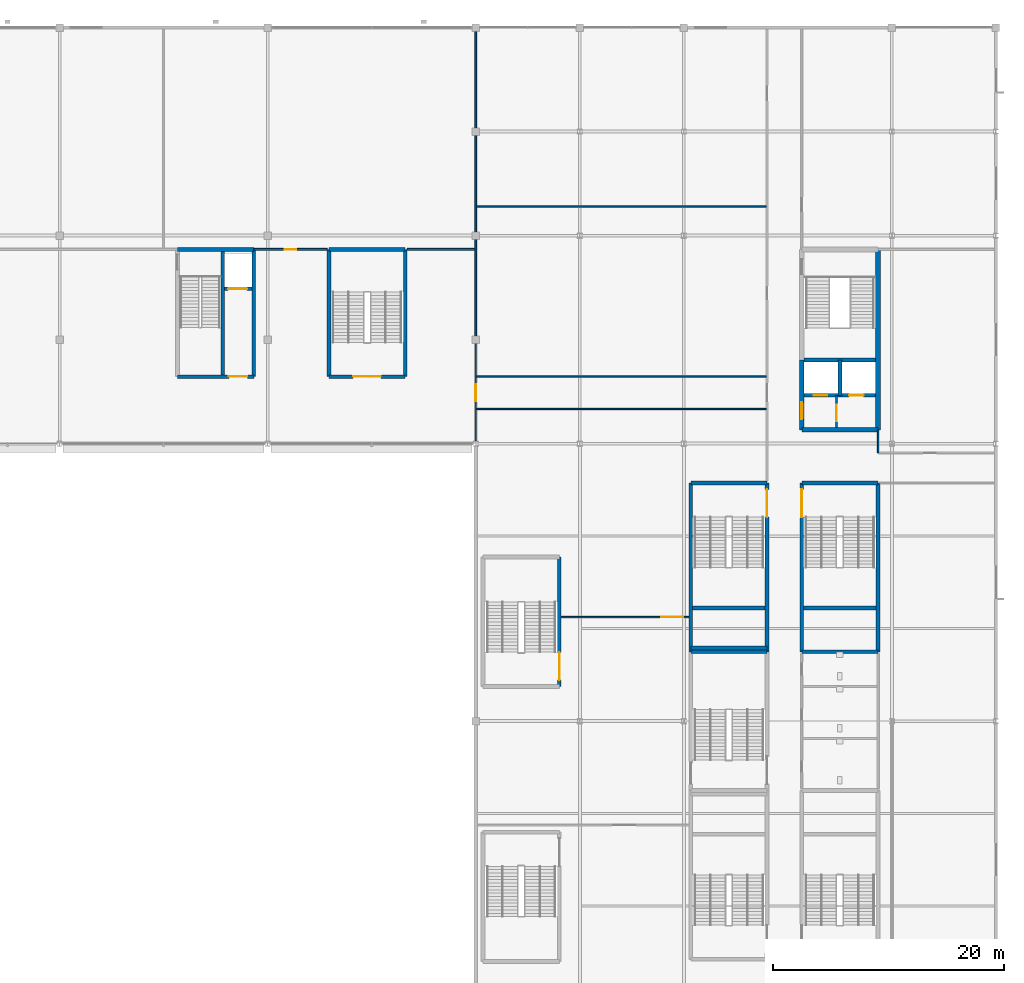
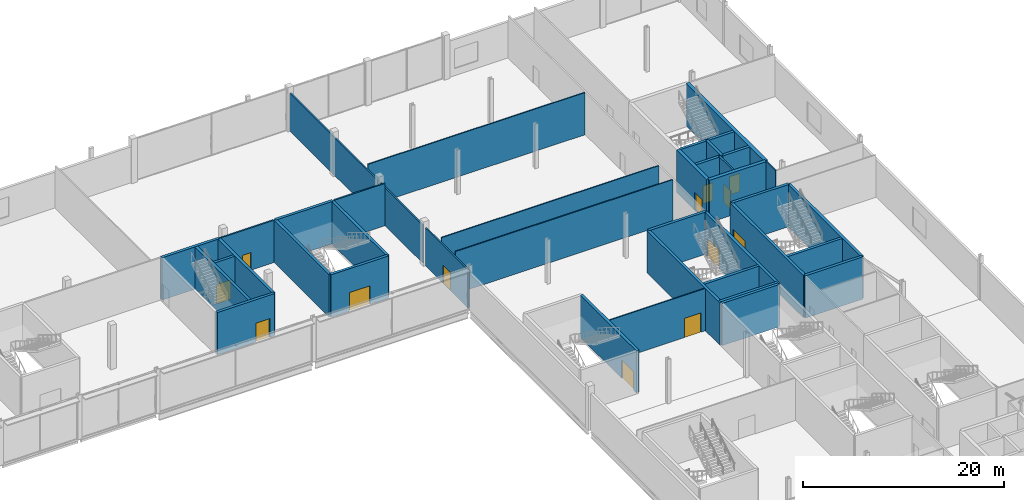
# One storey, part 67 of 111: 39 walls, 13 doors, 13 openings.
"""IFC4 building model written with IfcOpenShell, lengths in metres."""

from ifc_helpers import new_model, si_unit, direction, frame, frame_2d, origin, place, context, subcontext, project, spatial, rectangle, extrude, material, layer, layer_set, type_object, element, fill, save


model = new_model("IFC4")

# Units and contexts
model_context = context("Model", 3, precision=1e-05, world=origin(), true_north=direction((0.0, 1.0)))
body_context = subcontext(model_context, "Body", "Model", "MODEL_VIEW")
ifc_project = project(units=[si_unit("LENGTHUNIT", "METRE"), si_unit("AREAUNIT", "SQUARE_METRE"), si_unit("VOLUMEUNIT", "CUBIC_METRE"), si_unit("PLANEANGLEUNIT", "RADIAN"), si_unit("MASSUNIT", "GRAM", prefix="KILO")], contexts=[model_context])

# Site, building, storey
site_placement = place(None, origin())
site = spatial("IfcSite", under=ifc_project, at=site_placement, CompositionType="ELEMENT")
building_placement = place(site_placement, origin())
building = spatial("IfcBuilding", under=site, at=building_placement, Name="Kisiwana Market Hall", CompositionType="ELEMENT")
storey_placement = place(building_placement, frame((0.0, 0.0, 11.39990234375)))
storey = spatial("IfcBuildingStorey", under=building, at=storey_placement, Name="L02", CompositionType="ELEMENT", Elevation=11.39990234375)

# Wall, opening, door
ifc_material_1 = material(Name="Masonry blockwork", Category="masonry")
ifc_layer_1 = layer(ifc_material_1, 0.199951171875, Name="Plastered fire compartment block wall")
ifc_layer_set_1 = layer_set([ifc_layer_1], Name="WL-COMP-200")
wall_type_1 = type_object("IfcWallType", Name="WL-COMP-200", PredefinedType="PARTITIONING", material=ifc_layer_set_1)
wall_1_placement = place(storey_placement, frame((184.199951171875, 85.39990234375, 0.0), z_axis=(0.0, 0.0, 1.0), x_axis=(0.0, 1.0, 0.0)))
wall_1 = element("IfcWall", 1, at=wall_1_placement, inside=storey, type_object=wall_type_1, Name="Core E1 firefighting lobby wall W-1103", PredefinedType="PARTITIONING", context=body_context, shape_type="SweptSolid", body=[
    extrude(rectangle(XDim=2.780029296875, YDim=0.199951171875, at=frame_2d((1.39013671875, 0.0))), origin(), (0.0, 0.0, 1.0), 5.150146484375),
])
opening_1_placement = place(wall_1_placement, frame((0.550048828125, 0.0, 0.0)))
opening_1 = element("IfcOpeningElement", 2, at=opening_1_placement, cuts=wall_1, Name="Opening DR-L02-012", PredefinedType="OPENING", context=body_context, shape_type="SweptSolid", body=[
    extrude(rectangle(XDim=1.39990234375, YDim=2.25, at=frame_2d((0.699951171875, 1.125))), frame((0.0, 0.11181640625, 0.0), z_axis=(0.0, -1.0, 0.0), x_axis=(1.0, 0.0, 0.0)), (0.0, 0.0, 1.0), 0.223876953125),
])
ifc_material_2 = material(Name="Steel S275", Category="steel")
door_type_1 = type_object("IfcDoorType", Name="DR-FFLOB-FD120-1400", OperationType="DOUBLE_DOOR_SINGLE_SWING", PredefinedType="DOOR", material=ifc_material_2)
door_1_placement = place(opening_1_placement, origin())
door_1 = element("IfcDoor", 3, at=door_1_placement, inside=storey, type_object=door_type_1, Name="Firefighting Lift Lobby E1 Door (L02)", OperationType="DOUBLE_DOOR_SINGLE_SWING", OverallHeight=2.25, OverallWidth=1.39990234375, PredefinedType="DOOR", context=body_context, shape_type="SweptSolid", body=[
    extrude(rectangle(XDim=1.39990234375, YDim=2.25, at=frame_2d((0.699951171875, 1.125))), frame((0.0, 0.02490234375, 0.0), z_axis=(0.0, -1.0, 0.0), x_axis=(1.0, 0.0, 0.0)), (0.0, 0.0, 1.0), 0.050048828125),
])
fill(opening_1, door_1)

# Walls
ifc_material_3 = material(Name="Concrete C40/50", Category="concrete")
ifc_layer_2 = layer(ifc_material_3, 0.320068359375, Name="Reinforced concrete shaft wall")
ifc_layer_set_2 = layer_set([ifc_layer_2], Name="WL-CORE-320")
wall_type_2 = type_object("IfcWallType", Name="WL-CORE-320", PredefinedType="SHEAR", material=ifc_layer_set_2)
wall_2_placement = place(storey_placement, frame((181.39990234375, 91.239990234375, 0.0), z_axis=(0.0, 0.0, 1.0), x_axis=(1.0, 0.0, 0.0)))
element("IfcWall", 4, at=wall_2_placement, inside=storey, type_object=wall_type_2, Name="Core E1 shaft back shear wall W-0950", PredefinedType="SHEAR", context=body_context, shape_type="SweptSolid", body=[
    extrude(rectangle(XDim=6.2001953125, YDim=0.320068359375, at=frame_2d((3.10009765625, 0.0))), origin(), (0.0, 0.0, 1.0), 5.150146484375),
])
wall_3_placement = place(storey_placement, frame((184.5, 88.179931640625, 0.0), z_axis=(0.0, 0.0, 1.0), x_axis=(0.0, 1.0, 0.0)))
element("IfcWall", 5, at=wall_3_placement, inside=storey, type_object=wall_type_2, Name="Core E1 inter-shaft shear wall W-0951", PredefinedType="SHEAR", context=body_context, shape_type="SweptSolid", body=[
    extrude(rectangle(XDim=3.06005859375, YDim=0.320068359375, at=frame_2d((1.530029296875, 0.0))), origin(), (0.0, 0.0, 1.0), 5.150146484375),
])

# Wall, opening, door
wall_4_placement = place(storey_placement, frame((181.39990234375, 88.179931640625, 0.0), z_axis=(0.0, 0.0, 1.0), x_axis=(1.0, 0.0, 0.0)))
wall_4 = element("IfcWall", 6, at=wall_4_placement, inside=storey, type_object=wall_type_2, Name="Core E1 west lift front wall W-0952", PredefinedType="SHEAR", context=body_context, shape_type="SweptSolid", body=[
    extrude(rectangle(XDim=3.10009765625, YDim=0.320068359375, at=frame_2d((1.550048828125, 0.0))), origin(), (0.0, 0.0, 1.0), 5.150146484375),
])
opening_2_placement = place(wall_4_placement, frame((0.85009765625, 0.0, 0.0)))
opening_2 = element("IfcOpeningElement", 7, at=opening_2_placement, cuts=wall_4, Name="Opening LD-L02-007", PredefinedType="OPENING", context=body_context, shape_type="SweptSolid", body=[
    extrude(rectangle(XDim=1.14990234375, YDim=2.199951171875, at=frame_2d((0.574951171875, 1.10009765625))), frame((0.0, 0.171875, 0.0), z_axis=(0.0, -1.0, 0.0), x_axis=(1.0, 0.0, 0.0)), (0.0, 0.0, 1.0), 0.343994140625),
])
ifc_material_4 = material(Name="Steel S275", Category="steel")
door_type_2 = type_object("IfcDoorType", Name="DR-LIFT-PAX-1150", OperationType="DOUBLE_DOOR_SLIDING", PredefinedType="DOOR", material=ifc_material_4)
door_2_placement = place(opening_2_placement, origin())
door_2 = element("IfcDoor", 8, at=door_2_placement, inside=storey, type_object=door_type_2, Name="Lift Landing Door LP-04 (L02)", OperationType="DOUBLE_DOOR_SLIDING", OverallHeight=2.199951171875, OverallWidth=1.14990234375, PredefinedType="DOOR", context=body_context, shape_type="SweptSolid", body=[
    extrude(rectangle(XDim=1.14990234375, YDim=2.199951171875, at=frame_2d((0.574951171875, 1.10009765625))), frame((0.0, 0.02490234375, 0.0), z_axis=(0.0, -1.0, 0.0), x_axis=(1.0, 0.0, 0.0)), (0.0, 0.0, 1.0), 0.050048828125),
])
fill(opening_2, door_2)

wall_5_placement = place(storey_placement, frame((184.5, 88.179931640625, 0.0), z_axis=(0.0, 0.0, 1.0), x_axis=(1.0, 0.0, 0.0)))
wall_5 = element("IfcWall", 9, at=wall_5_placement, inside=storey, type_object=wall_type_2, Name="Core E1 east lift front wall W-0953", PredefinedType="SHEAR", context=body_context, shape_type="SweptSolid", body=[
    extrude(rectangle(XDim=3.10009765625, YDim=0.320068359375, at=frame_2d((1.550048828125, 0.0))), origin(), (0.0, 0.0, 1.0), 5.150146484375),
])
opening_3_placement = place(wall_5_placement, frame((0.800048828125, 0.0, 0.0)))
opening_3 = element("IfcOpeningElement", 10, at=opening_3_placement, cuts=wall_5, Name="Opening LD-L02-008", PredefinedType="OPENING", context=body_context, shape_type="SweptSolid", body=[
    extrude(rectangle(XDim=1.25, YDim=2.25, at=frame_2d((0.625, 1.125))), frame((0.0, 0.171875, 0.0), z_axis=(0.0, -1.0, 0.0), x_axis=(1.0, 0.0, 0.0)), (0.0, 0.0, 1.0), 0.343994140625),
])
ifc_material_5 = material(Name="Steel S275", Category="steel")
door_type_3 = type_object("IfcDoorType", Name="DR-LIFT-FFL-1250", OperationType="DOUBLE_DOOR_SLIDING", PredefinedType="DOOR", material=ifc_material_5)
door_3_placement = place(opening_3_placement, origin())
door_3 = element("IfcDoor", 11, at=door_3_placement, inside=storey, type_object=door_type_3, Name="Lift Landing Door FFL-04 (L02)", OperationType="DOUBLE_DOOR_SLIDING", OverallHeight=2.25, OverallWidth=1.25, PredefinedType="DOOR", context=body_context, shape_type="SweptSolid", body=[
    extrude(rectangle(XDim=1.25, YDim=2.25, at=frame_2d((0.625, 1.125))), frame((0.0, 0.02490234375, 0.0), z_axis=(0.0, -1.0, 0.0), x_axis=(1.0, 0.0, 0.0)), (0.0, 0.0, 1.0), 0.050048828125),
])
fill(opening_3, door_3)

wall_6_placement = place(storey_placement, frame((127.199951171875, 89.800048828125, 0.0), z_axis=(0.0, 0.0, 1.0), x_axis=(1.0, 0.0, 0.0)))
wall_6 = element("IfcWall", 12, at=wall_6_placement, inside=storey, type_object=wall_type_2, Name="Core N2 south wall W-0970", PredefinedType="SHEAR", context=body_context, shape_type="SweptSolid", body=[
    extrude(rectangle(XDim=6.60009765625, YDim=0.320068359375, at=frame_2d((3.300048828125, 0.0))), origin(), (0.0, 0.0, 1.0), 5.150146484375),
])
opening_4_placement = place(wall_6_placement, frame((4.449951171875, 0.0, 0.0)))
opening_4 = element("IfcOpeningElement", 13, at=opening_4_placement, cuts=wall_6, Name="Opening DR-L02-018", PredefinedType="OPENING", context=body_context, shape_type="SweptSolid", body=[
    extrude(rectangle(XDim=1.60009765625, YDim=2.300048828125, at=frame_2d((0.800048828125, 1.14990234375))), frame((0.0, 0.171875, 0.0), z_axis=(0.0, -1.0, 0.0), x_axis=(1.0, 0.0, 0.0)), (0.0, 0.0, 1.0), 0.343994140625),
])
ifc_material_6 = material(Name="Steel S275", Category="steel")
door_type_4 = type_object("IfcDoorType", Name="DR-PLANT-FD120-1600", OperationType="DOUBLE_DOOR_SINGLE_SWING", PredefinedType="DOOR", material=ifc_material_6)
door_4_placement = place(opening_4_placement, origin())
door_4 = element("IfcDoor", 14, at=door_4_placement, inside=storey, type_object=door_type_4, Name="Goods Lift Lobby N2 Door (L02)", OperationType="DOUBLE_DOOR_SINGLE_SWING", OverallHeight=2.300048828125, OverallWidth=1.60009765625, PredefinedType="DOOR", context=body_context, shape_type="SweptSolid", body=[
    extrude(rectangle(XDim=1.60009765625, YDim=2.300048828125, at=frame_2d((0.800048828125, 1.14990234375))), frame((0.0, 0.02490234375, 0.0), z_axis=(0.0, -1.0, 0.0), x_axis=(1.0, 0.0, 0.0)), (0.0, 0.0, 1.0), 0.050048828125),
])
fill(opening_4, door_4)

# Walls
wall_7_placement = place(storey_placement, frame((127.199951171875, 100.800048828125, 0.0), z_axis=(0.0, 0.0, 1.0), x_axis=(1.0, 0.0, 0.0)))
element("IfcWall", 15, at=wall_7_placement, inside=storey, type_object=wall_type_2, Name="Core N2 north wall W-0971", PredefinedType="SHEAR", context=body_context, shape_type="SweptSolid", body=[
    extrude(rectangle(XDim=6.60009765625, YDim=0.320068359375, at=frame_2d((3.300048828125, 0.0))), origin(), (0.0, 0.0, 1.0), 5.150146484375),
])
wall_8_placement = place(storey_placement, frame((133.800048828125, 89.800048828125, 0.0), z_axis=(0.0, 0.0, 1.0), x_axis=(0.0, 1.0, 0.0)))
element("IfcWall", 16, at=wall_8_placement, inside=storey, type_object=wall_type_2, Name="Core N2 east wall W-0973", PredefinedType="SHEAR", context=body_context, shape_type="SweptSolid", body=[
    extrude(rectangle(XDim=11.0, YDim=0.320068359375, at=frame_2d((5.5, 0.0))), origin(), (0.0, 0.0, 1.0), 5.150146484375),
])
wall_9_placement = place(storey_placement, frame((131.1201171875, 89.9599609375, 0.0), z_axis=(0.0, 0.0, 1.0), x_axis=(0.0, 1.0, 0.0)))
element("IfcWall", 17, at=wall_9_placement, inside=storey, type_object=wall_type_2, Name="Core N2 shaft divider W-0974", PredefinedType="SHEAR", context=body_context, shape_type="SweptSolid", body=[
    extrude(rectangle(XDim=10.679931640625, YDim=0.320068359375, at=frame_2d((5.33984375, 0.0))), origin(), (0.0, 0.0, 1.0), 5.150146484375),
])

# Wall, opening, door
wall_10_placement = place(storey_placement, frame((131.280029296875, 97.389892578125, 0.0), z_axis=(0.0, 0.0, 1.0), x_axis=(1.0, 0.0, 0.0)))
wall_10 = element("IfcWall", 18, at=wall_10_placement, inside=storey, type_object=wall_type_2, Name="Core N2 goods lift front wall W-0975", PredefinedType="SHEAR", context=body_context, shape_type="SweptSolid", body=[
    extrude(rectangle(XDim=2.35986328125, YDim=0.320068359375, at=frame_2d((1.179931640625, 0.0))), origin(), (0.0, 0.0, 1.0), 5.150146484375),
])
opening_5_placement = place(wall_10_placement, frame((0.300048828125, 0.0, 0.0)))
opening_5 = element("IfcOpeningElement", 19, at=opening_5_placement, cuts=wall_10, Name="Opening LD-L02-010", PredefinedType="OPENING", context=body_context, shape_type="SweptSolid", body=[
    extrude(rectangle(XDim=1.64990234375, YDim=2.35009765625, at=frame_2d((0.824951171875, 1.175048828125))), frame((0.0, 0.171875, 0.0), z_axis=(0.0, -1.0, 0.0), x_axis=(1.0, 0.0, 0.0)), (0.0, 0.0, 1.0), 0.343994140625),
])
ifc_material_7 = material(Name="Steel S275", Category="steel")
door_type_5 = type_object("IfcDoorType", Name="DR-LIFT-GDS-1650", OperationType="DOUBLE_DOOR_SLIDING", PredefinedType="DOOR", material=ifc_material_7)
door_5_placement = place(opening_5_placement, origin())
door_5 = element("IfcDoor", 20, at=door_5_placement, inside=storey, type_object=door_type_5, Name="Lift Landing Door LG-02 (L02)", OperationType="DOUBLE_DOOR_SLIDING", OverallHeight=2.35009765625, OverallWidth=1.64990234375, PredefinedType="DOOR", context=body_context, shape_type="SweptSolid", body=[
    extrude(rectangle(XDim=1.64990234375, YDim=2.35009765625, at=frame_2d((0.824951171875, 1.175048828125))), frame((0.0, 0.02490234375, 0.0), z_axis=(0.0, -1.0, 0.0), x_axis=(1.0, 0.0, 0.0)), (0.0, 0.0, 1.0), 0.050048828125),
])
fill(opening_5, door_5)

# Walls
for number, where, z_axis, x_axis, name in (
    (21, (181.199951171875, 66.0, 0.0), (0.0, 0.0, 1.0), (1.0, 0.0, 0.0), "Core E4 south shear wall W-0991"),
    (22, (181.199951171875, 80.60009765625, 0.0), (0.0, 0.0, 1.0), (1.0, 0.0, 0.0), "Core E4 north shear wall W-0992"),
):
    element("IfcWall", number, at=place(storey_placement, frame(where, z_axis=z_axis, x_axis=x_axis)), inside=storey, type_object=wall_type_2, Name=name, PredefinedType="SHEAR", context=body_context, shape_type="SweptSolid", body=[
        extrude(rectangle(XDim=6.60009765625, YDim=0.320068359375, at=frame_2d((3.300048828125, 0.0))), origin(), (0.0, 0.0, 1.0), 5.150146484375),
    ])

# Wall, opening, door
wall_11_placement = place(storey_placement, frame((181.199951171875, 66.0, 0.0), z_axis=(0.0, 0.0, 1.0), x_axis=(0.0, 1.0, 0.0)))
wall_11 = element("IfcWall", 23, at=wall_11_placement, inside=storey, type_object=wall_type_2, Name="Core E4 corridor shear wall W-0993", PredefinedType="SHEAR", context=body_context, shape_type="SweptSolid", body=[
    extrude(rectangle(XDim=14.60009765625, YDim=0.320068359375, at=frame_2d((7.300048828125, 0.0))), origin(), (0.0, 0.0, 1.0), 5.150146484375),
])
opening_6_placement = place(wall_11_placement, frame((11.64990234375, 0.0, 0.0)))
opening_6 = element("IfcOpeningElement", 24, at=opening_6_placement, cuts=wall_11, Name="Opening DR-L02-022", PredefinedType="OPENING", context=body_context, shape_type="SweptSolid", body=[
    extrude(rectangle(XDim=2.39990234375, YDim=2.25, at=frame_2d((1.199951171875, 1.125))), frame((0.0, 0.171875, 0.0), z_axis=(0.0, -1.0, 0.0), x_axis=(1.0, 0.0, 0.0)), (0.0, 0.0, 1.0), 0.343994140625),
])
ifc_material_8 = material(Name="Steel S275", Category="steel")
door_type_6 = type_object("IfcDoorType", Name="DR-STAIR-FD120-2400", OperationType="DOUBLE_DOOR_SINGLE_SWING", PredefinedType="DOOR", material=ifc_material_8)
door_6_placement = place(opening_6_placement, frame((2.39990234375, 0.0, 0.0), z_axis=(0.0, 0.0, 1.0), x_axis=(-1.0, 0.0, 0.0)))
door_6 = element("IfcDoor", 25, at=door_6_placement, inside=storey, type_object=door_type_6, Name="Escape Stair E4 Fire Door (L02)", OperationType="DOUBLE_DOOR_SINGLE_SWING", OverallHeight=2.25, OverallWidth=2.39990234375, PredefinedType="DOOR", context=body_context, shape_type="SweptSolid", body=[
    extrude(rectangle(XDim=2.39990234375, YDim=2.25, at=frame_2d((1.199951171875, 1.125))), frame((0.0, 0.02490234375, 0.0), z_axis=(0.0, -1.0, 0.0), x_axis=(1.0, 0.0, 0.0)), (0.0, 0.0, 1.0), 0.050048828125),
])
fill(opening_6, door_6)

# Walls
wall_12_placement = place(storey_placement, frame((187.800048828125, 66.0, 0.0), z_axis=(0.0, 0.0, 1.0), x_axis=(0.0, 1.0, 0.0)))
element("IfcWall", 26, at=wall_12_placement, inside=storey, type_object=wall_type_2, Name="Core E4 outer shear wall W-0994", PredefinedType="SHEAR", context=body_context, shape_type="SweptSolid", body=[
    extrude(rectangle(XDim=14.60009765625, YDim=0.320068359375, at=frame_2d((7.300048828125, 0.0))), origin(), (0.0, 0.0, 1.0), 5.150146484375),
])
wall_13_placement = place(storey_placement, frame((181.360107421875, 69.780029296875, 0.0), z_axis=(0.0, 0.0, 1.0), x_axis=(1.0, 0.0, 0.0)))
element("IfcWall", 27, at=wall_13_placement, inside=storey, type_object=wall_type_2, Name="Core E4 riser divider shear wall W-0995", PredefinedType="SHEAR", context=body_context, shape_type="SweptSolid", body=[
    extrude(rectangle(XDim=6.27978515625, YDim=0.320068359375, at=frame_2d((3.139892578125, 0.0))), origin(), (0.0, 0.0, 1.0), 5.150146484375),
])
for number, where, z_axis, x_axis, name in (
    (28, (171.60009765625, 66.0, 0.0), (0.0, 0.0, 1.0), (1.0, 0.0, 0.0), "Core E8 south shear wall W-1011"),
    (29, (171.60009765625, 80.60009765625, 0.0), (0.0, 0.0, 1.0), (1.0, 0.0, 0.0), "Core E8 north shear wall W-1012"),
):
    element("IfcWall", number, at=place(storey_placement, frame(where, z_axis=z_axis, x_axis=x_axis)), inside=storey, type_object=wall_type_2, Name=name, PredefinedType="SHEAR", context=body_context, shape_type="SweptSolid", body=[
        extrude(rectangle(XDim=6.599853515625, YDim=0.320068359375, at=frame_2d((3.2998046875, 0.0))), origin(), (0.0, 0.0, 1.0), 5.150146484375),
    ])
wall_14_placement = place(storey_placement, frame((171.60009765625, 66.0, 0.0), z_axis=(0.0, 0.0, 1.0), x_axis=(0.0, 1.0, 0.0)))
element("IfcWall", 30, at=wall_14_placement, inside=storey, type_object=wall_type_2, Name="Core E8 outer shear wall W-1013", PredefinedType="SHEAR", context=body_context, shape_type="SweptSolid", body=[
    extrude(rectangle(XDim=14.60009765625, YDim=0.320068359375, at=frame_2d((7.300048828125, 0.0))), origin(), (0.0, 0.0, 1.0), 5.150146484375),
])

# Wall, opening, door
wall_15_placement = place(storey_placement, frame((178.199951171875, 66.0, 0.0), z_axis=(0.0, 0.0, 1.0), x_axis=(0.0, 1.0, 0.0)))
wall_15 = element("IfcWall", 31, at=wall_15_placement, inside=storey, type_object=wall_type_2, Name="Core E8 corridor shear wall W-1014", PredefinedType="SHEAR", context=body_context, shape_type="SweptSolid", body=[
    extrude(rectangle(XDim=14.60009765625, YDim=0.320068359375, at=frame_2d((7.300048828125, 0.0))), origin(), (0.0, 0.0, 1.0), 5.150146484375),
])
opening_7_placement = place(wall_15_placement, frame((11.64990234375, 0.0, 0.0)))
opening_7 = element("IfcOpeningElement", 32, at=opening_7_placement, cuts=wall_15, Name="Opening DR-L02-026", PredefinedType="OPENING", context=body_context, shape_type="SweptSolid", body=[
    extrude(rectangle(XDim=2.39990234375, YDim=2.25, at=frame_2d((1.199951171875, 1.125))), frame((0.0, 0.171875, 0.0), z_axis=(0.0, -1.0, 0.0), x_axis=(1.0, 0.0, 0.0)), (0.0, 0.0, 1.0), 0.343994140625),
])
door_7_placement = place(opening_7_placement, origin())
door_7 = element("IfcDoor", 33, at=door_7_placement, inside=storey, type_object=door_type_6, Name="Escape Stair E8 Fire Door (L02)", OperationType="DOUBLE_DOOR_SINGLE_SWING", OverallHeight=2.25, OverallWidth=2.39990234375, PredefinedType="DOOR", context=body_context, shape_type="SweptSolid", body=[
    extrude(rectangle(XDim=2.39990234375, YDim=2.25, at=frame_2d((1.199951171875, 1.125))), frame((0.0, 0.02490234375, 0.0), z_axis=(0.0, -1.0, 0.0), x_axis=(1.0, 0.0, 0.0)), (0.0, 0.0, 1.0), 0.050048828125),
])
fill(opening_7, door_7)

# Wall
wall_16_placement = place(storey_placement, frame((171.760009765625, 69.780029296875, 0.0), z_axis=(0.0, 0.0, 1.0), x_axis=(1.0, 0.0, 0.0)))
element("IfcWall", 34, at=wall_16_placement, inside=storey, type_object=wall_type_2, Name="Core E8 riser divider shear wall W-1015", PredefinedType="SHEAR", context=body_context, shape_type="SweptSolid", body=[
    extrude(rectangle(XDim=6.280029296875, YDim=0.320068359375, at=frame_2d((3.14013671875, 0.0))), origin(), (0.0, 0.0, 1.0), 5.150146484375),
])

# Wall, opening, door
wall_17_placement = place(storey_placement, frame((160.22998046875, 63.0, 0.0), z_axis=(0.0, 0.0, 1.0), x_axis=(0.0, 1.0, 0.0)))
wall_17 = element("IfcWall", 35, at=wall_17_placement, inside=storey, type_object=wall_type_2, Name="Core E10 corridor shear wall W-1031", PredefinedType="SHEAR", context=body_context, shape_type="SweptSolid", body=[
    extrude(rectangle(XDim=11.199951171875, YDim=0.320068359375, at=frame_2d((5.60009765625, 0.0))), origin(), (0.0, 0.0, 1.0), 5.150146484375),
])
opening_8_placement = place(wall_17_placement, frame((0.550048828125, 0.0, 0.0)))
opening_8 = element("IfcOpeningElement", 36, at=opening_8_placement, cuts=wall_17, Name="Opening DR-L02-030", PredefinedType="OPENING", context=body_context, shape_type="SweptSolid", body=[
    extrude(rectangle(XDim=2.39990234375, YDim=2.25, at=frame_2d((1.199951171875, 1.125))), frame((0.0, 0.171875, 0.0), z_axis=(0.0, -1.0, 0.0), x_axis=(1.0, 0.0, 0.0)), (0.0, 0.0, 1.0), 0.343994140625),
])
door_8_placement = place(opening_8_placement, origin())
door_8 = element("IfcDoor", 37, at=door_8_placement, inside=storey, type_object=door_type_6, Name="Escape Stair E10 Fire Door (L02)", OperationType="DOUBLE_DOOR_SINGLE_SWING", OverallHeight=2.25, OverallWidth=2.39990234375, PredefinedType="DOOR", context=body_context, shape_type="SweptSolid", body=[
    extrude(rectangle(XDim=2.39990234375, YDim=2.25, at=frame_2d((1.199951171875, 1.125))), frame((0.0, 0.02490234375, 0.0), z_axis=(0.0, -1.0, 0.0), x_axis=(1.0, 0.0, 0.0)), (0.0, 0.0, 1.0), 0.050048828125),
])
fill(opening_8, door_8)

# Wall
wall_18_placement = place(storey_placement, frame((171.60009765625, 66.320068359375, 0.0), z_axis=(0.0, 0.0, 1.0), x_axis=(1.0, 0.0, 0.0)))
element("IfcWall", 38, at=wall_18_placement, inside=storey, type_object=wall_type_2, Name="Core E5 north shear wall W-1037", PredefinedType="SHEAR", context=body_context, shape_type="SweptSolid", body=[
    extrude(rectangle(XDim=6.599853515625, YDim=0.320068359375, at=frame_2d((3.2998046875, 0.0))), origin(), (0.0, 0.0, 1.0), 5.150146484375),
])

# Wall, opening, door
wall_19_placement = place(storey_placement, frame((140.300048828125, 89.800048828125, 0.0), z_axis=(0.0, 0.0, 1.0), x_axis=(1.0, 0.0, 0.0)))
wall_19 = element("IfcWall", 39, at=wall_19_placement, inside=storey, type_object=wall_type_2, Name="Core N6 corridor shear wall W-1068", PredefinedType="SHEAR", context=body_context, shape_type="SweptSolid", body=[
    extrude(rectangle(XDim=6.599853515625, YDim=0.320068359375, at=frame_2d((3.2998046875, 0.0))), origin(), (0.0, 0.0, 1.0), 5.150146484375),
])
opening_9_placement = place(wall_19_placement, frame((2.10009765625, 0.0, 0.0)))
opening_9 = element("IfcOpeningElement", 40, at=opening_9_placement, cuts=wall_19, Name="Opening DR-L02-042", PredefinedType="OPENING", context=body_context, shape_type="SweptSolid", body=[
    extrude(rectangle(XDim=2.39990234375, YDim=2.25, at=frame_2d((1.199951171875, 1.125))), frame((0.0, 0.171875, 0.0), z_axis=(0.0, -1.0, 0.0), x_axis=(1.0, 0.0, 0.0)), (0.0, 0.0, 1.0), 0.343994140625),
])
door_9_placement = place(opening_9_placement, origin())
door_9 = element("IfcDoor", 41, at=door_9_placement, inside=storey, type_object=door_type_6, Name="Escape Stair N6 Fire Door (L02)", OperationType="DOUBLE_DOOR_SINGLE_SWING", OverallHeight=2.25, OverallWidth=2.39990234375, PredefinedType="DOOR", context=body_context, shape_type="SweptSolid", body=[
    extrude(rectangle(XDim=2.39990234375, YDim=2.25, at=frame_2d((1.199951171875, 1.125))), frame((0.0, 0.02490234375, 0.0), z_axis=(0.0, -1.0, 0.0), x_axis=(1.0, 0.0, 0.0)), (0.0, 0.0, 1.0), 0.050048828125),
])
fill(opening_9, door_9)

# Walls
wall_20_placement = place(storey_placement, frame((140.300048828125, 100.800048828125, 0.0), z_axis=(0.0, 0.0, 1.0), x_axis=(1.0, 0.0, 0.0)))
element("IfcWall", 42, at=wall_20_placement, inside=storey, type_object=wall_type_2, Name="Core N6 outer shear wall W-1069", PredefinedType="SHEAR", context=body_context, shape_type="SweptSolid", body=[
    extrude(rectangle(XDim=6.599853515625, YDim=0.320068359375, at=frame_2d((3.2998046875, 0.0))), origin(), (0.0, 0.0, 1.0), 5.150146484375),
])
for number, where, z_axis, x_axis, name in (
    (43, (140.300048828125, 89.800048828125, 0.0), (0.0, 0.0, 1.0), (0.0, 1.0, 0.0), "Core N6 west shear wall W-1070"),
    (44, (146.89990234375, 89.800048828125, 0.0), (0.0, 0.0, 1.0), (0.0, 1.0, 0.0), "Core N6 east shear wall W-1071"),
):
    element("IfcWall", number, at=place(storey_placement, frame(where, z_axis=z_axis, x_axis=x_axis)), inside=storey, type_object=wall_type_2, Name=name, PredefinedType="SHEAR", context=body_context, shape_type="SweptSolid", body=[
        extrude(rectangle(XDim=11.0, YDim=0.320068359375, at=frame_2d((5.5, 0.0))), origin(), (0.0, 0.0, 1.0), 5.150146484375),
    ])
ifc_material_9 = material(Name="Concrete C40/50", Category="concrete")
ifc_layer_3 = layer(ifc_material_9, 0.39990234375, Name="Reinforced concrete core wall")
ifc_layer_set_3 = layer_set([ifc_layer_3], Name="WL-CORE-400")
wall_type_3 = type_object("IfcWallType", Name="WL-CORE-400", PredefinedType="SHEAR", material=ifc_layer_set_3)
wall_21_placement = place(storey_placement, frame((181.199951171875, 85.199951171875, 0.0), z_axis=(0.0, 0.0, 1.0), x_axis=(1.0, 0.0, 0.0)))
element("IfcWall", 45, at=wall_21_placement, inside=storey, type_object=wall_type_3, Name="Core E1 south shear wall W-0945", PredefinedType="SHEAR", context=body_context, shape_type="SweptSolid", body=[
    extrude(rectangle(XDim=6.60009765625, YDim=0.39990234375, at=frame_2d((3.300048828125, 0.0))), origin(), (0.0, 0.0, 1.0), 5.150146484375),
])
wall_22_placement = place(storey_placement, frame((187.800048828125, 85.199951171875, 0.0), z_axis=(0.0, 0.0, 1.0), x_axis=(0.0, 1.0, 0.0)))
element("IfcWall", 46, at=wall_22_placement, inside=storey, type_object=wall_type_3, Name="Core E1 outer shear wall W-0947", PredefinedType="SHEAR", context=body_context, shape_type="SweptSolid", body=[
    extrude(rectangle(XDim=15.60009765625, YDim=0.39990234375, at=frame_2d((7.800048828125, 0.0))), origin(), (0.0, 0.0, 1.0), 5.150146484375),
])

# Wall, opening, door
wall_23_placement = place(storey_placement, frame((181.199951171875, 85.199951171875, 0.0), z_axis=(0.0, 0.0, 1.0), x_axis=(0.0, 1.0, 0.0)))
wall_23 = element("IfcWall", 47, at=wall_23_placement, inside=storey, type_object=wall_type_3, Name="Core E1 lobby corridor shear wall W-0948", PredefinedType="SHEAR", context=body_context, shape_type="SweptSolid", body=[
    extrude(rectangle(XDim=6.0400390625, YDim=0.39990234375, at=frame_2d((3.02001953125, 0.0))), origin(), (0.0, 0.0, 1.0), 5.150146484375),
])
opening_10_placement = place(wall_23_placement, frame((0.89990234375, 0.0, 0.0)))
opening_10 = element("IfcOpeningElement", 48, at=opening_10_placement, cuts=wall_23, Name="Opening DR-L02-010", PredefinedType="OPENING", context=body_context, shape_type="SweptSolid", body=[
    extrude(rectangle(XDim=1.5, YDim=2.199951171875, at=frame_2d((0.75, 1.10009765625))), frame((0.0, 0.2119140625, 0.0), z_axis=(0.0, -1.0, 0.0), x_axis=(1.0, 0.0, 0.0)), (0.0, 0.0, 1.0), 0.423828125),
])
ifc_material_10 = material(Name="Steel S275", Category="steel")
door_type_7 = type_object("IfcDoorType", Name="DR-CORR-FD60-1500", OperationType="DOUBLE_DOOR_SINGLE_SWING", PredefinedType="DOOR", material=ifc_material_10)
door_10_placement = place(opening_10_placement, origin())
door_10 = element("IfcDoor", 49, at=door_10_placement, inside=storey, type_object=door_type_7, Name="Passenger Lift Lobby E1 Smoke Door (L02)", OperationType="DOUBLE_DOOR_SINGLE_SWING", OverallHeight=2.199951171875, OverallWidth=1.5, PredefinedType="DOOR", context=body_context, shape_type="SweptSolid", body=[
    extrude(rectangle(XDim=1.5, YDim=2.199951171875, at=frame_2d((0.75, 1.10009765625))), frame((0.0, 0.02490234375, 0.0), z_axis=(0.0, -1.0, 0.0), x_axis=(1.0, 0.0, 0.0)), (0.0, 0.0, 1.0), 0.050048828125),
])
fill(opening_10, door_10)

ifc_material_11 = material(Name="Masonry blockwork", Category="masonry")
ifc_layer_4 = layer(ifc_material_11, 0.169921875, Name="Protected corridor partition")
ifc_layer_set_4 = layer_set([ifc_layer_4], Name="WL-CORR-170")
wall_type_4 = type_object("IfcWallType", Name="WL-CORR-170", PredefinedType="PARTITIONING", material=ifc_layer_set_4)
wall_24_placement = place(storey_placement, frame((153.0, 84.219970703125, 0.0), z_axis=(0.0, 0.0, 1.0), x_axis=(0.0, 1.0, 0.0)))
wall_24 = element("IfcWall", 50, at=wall_24_placement, inside=storey, type_object=wall_type_4, Name="Interior partition W-1161", PredefinedType="PARTITIONING", context=body_context, shape_type="SweptSolid", body=[
    extrude(rectangle(XDim=8.56005859375, YDim=0.169921875, at=frame_2d((4.280029296875, 0.0))), origin(), (0.0, 0.0, 1.0), 4.616943359375),
])
opening_11_placement = place(wall_24_placement, frame((3.429931640625, 0.0, 0.0)))
opening_11 = element("IfcOpeningElement", 51, at=opening_11_placement, cuts=wall_24, Name="Opening DR-L02-086", PredefinedType="OPENING", context=body_context, shape_type="SweptSolid", body=[
    extrude(rectangle(XDim=1.5, YDim=2.199951171875, at=frame_2d((0.75, 1.10009765625))), frame((0.0, 0.096923828125, 0.0), z_axis=(0.0, -1.0, 0.0), x_axis=(1.0, 0.0, 0.0)), (0.0, 0.0, 1.0), 0.19384765625),
])
door_11_placement = place(opening_11_placement, origin())
door_11 = element("IfcDoor", 52, at=door_11_placement, inside=storey, type_object=door_type_7, Name="L02 E North Spine Link Door", OperationType="DOUBLE_DOOR_SINGLE_SWING", OverallHeight=2.199951171875, OverallWidth=1.5, PredefinedType="DOOR", context=body_context, shape_type="SweptSolid", body=[
    extrude(rectangle(XDim=1.5, YDim=2.199951171875, at=frame_2d((0.75, 1.10009765625))), frame((0.0, 0.02490234375, 0.0), z_axis=(0.0, -1.0, 0.0), x_axis=(1.0, 0.0, 0.0)), (0.0, 0.0, 1.0), 0.050048828125),
])
fill(opening_11, door_11)

# Walls
wall_25_placement = place(storey_placement, frame((153.0, 93.219970703125, 0.0), z_axis=(0.0, 0.0, 1.0), x_axis=(0.0, 1.0, 0.0)))
element("IfcWall", 53, at=wall_25_placement, inside=storey, type_object=wall_type_4, Name="Interior partition W-1162", PredefinedType="PARTITIONING", context=body_context, shape_type="SweptSolid", body=[
    extrude(rectangle(XDim=8.56005859375, YDim=0.169921875, at=frame_2d((4.280029296875, 0.0))), origin(), (0.0, 0.0, 1.0), 4.616943359375),
])
wall_26_placement = place(storey_placement, frame((153.0, 102.219970703125, 0.0), z_axis=(0.0, 0.0, 1.0), x_axis=(0.0, 1.0, 0.0)))
element("IfcWall", 54, at=wall_26_placement, inside=storey, type_object=wall_type_4, Name="Interior partition W-1163", PredefinedType="PARTITIONING", context=body_context, shape_type="SweptSolid", body=[
    extrude(rectangle(XDim=17.56005859375, YDim=0.169921875, at=frame_2d((8.780029296875, 0.0))), origin(), (0.0, 0.0, 1.0), 4.60888671875),
])

# Wall, opening, door
wall_27_placement = place(storey_placement, frame((133.800048828125, 100.800048828125, 0.0), z_axis=(0.0, 0.0, 1.0), x_axis=(1.0, 0.0, 0.0)))
wall_27 = element("IfcWall", 55, at=wall_27_placement, inside=storey, type_object=wall_type_4, Name="Interior partition W-1182", PredefinedType="PARTITIONING", context=body_context, shape_type="SweptSolid", body=[
    extrude(rectangle(XDim=6.33984375, YDim=0.169921875, at=frame_2d((3.169921875, 0.0))), origin(), (0.0, 0.0, 1.0), 5.150146484375),
])
opening_12_placement = place(wall_27_placement, frame((2.669921875, 0.0, 0.0)))
opening_12 = element("IfcOpeningElement", 56, at=opening_12_placement, cuts=wall_27, Name="Opening DR-L02-096", PredefinedType="OPENING", context=body_context, shape_type="SweptSolid", body=[
    extrude(rectangle(XDim=1.0, YDim=2.14990234375, at=frame_2d((0.5, 1.074951171875))), frame((0.0, 0.096923828125, 0.0), z_axis=(0.0, -1.0, 0.0), x_axis=(1.0, 0.0, 0.0)), (0.0, 0.0, 1.0), 0.19384765625),
])
ifc_material_12 = material(Name="Aluminium alloy 6063-T6", Category="aluminium")
door_type_8 = type_object("IfcDoorType", Name="DR-OFF-1000", OperationType="NOTDEFINED", PredefinedType="DOOR", material=ifc_material_12)
door_12_placement = place(opening_12_placement, origin())
door_12 = element("IfcDoor", 57, at=door_12_placement, inside=storey, type_object=door_type_8, Name="L02 Studio N4 Door", OperationType="SINGLE_SWING_LEFT", OverallHeight=2.14990234375, OverallWidth=1.0, PredefinedType="DOOR", context=body_context, shape_type="SweptSolid", body=[
    extrude(rectangle(XDim=1.0, YDim=2.14990234375, at=frame_2d((0.5, 1.074951171875))), frame((0.0, 0.02490234375, 0.0), z_axis=(0.0, -1.0, 0.0), x_axis=(1.0, 0.0, 0.0)), (0.0, 0.0, 1.0), 0.050048828125),
])
fill(opening_12, door_12)

# Walls
wall_28_placement = place(storey_placement, frame((147.06005859375, 100.800048828125, 0.0), z_axis=(0.0, 0.0, 1.0), x_axis=(1.0, 0.0, 0.0)))
element("IfcWall", 58, at=wall_28_placement, inside=storey, type_object=wall_type_4, Name="Interior partition W-1183", PredefinedType="PARTITIONING", context=body_context, shape_type="SweptSolid", body=[
    extrude(rectangle(XDim=5.85498046875, YDim=0.169921875, at=frame_2d((2.927490234375, 0.0))), origin(), (0.0, 0.0, 1.0), 5.150146484375),
])
ifc_material_13 = material(Name="Gypsum plasterboard")
ifc_layer_5 = layer(ifc_material_13, 0.125, Name="Double gypsum board + acoustic stud")
ifc_layer_set_5 = layer_set([ifc_layer_5], Name="WL-OFF-125")
wall_type_5 = type_object("IfcWallType", Name="WL-OFF-125", PredefinedType="PARTITIONING", material=ifc_layer_set_5)
wall_29_placement = place(storey_placement, frame((187.800048828125, 83.199951171875, 0.0), z_axis=(0.0, 0.0, 1.0), x_axis=(0.0, 1.0, 0.0)))
element("IfcWall", 59, at=wall_29_placement, inside=storey, type_object=wall_type_5, Name="Interior partition W-1139", PredefinedType="PARTITIONING", context=body_context, shape_type="SweptSolid", body=[
    extrude(rectangle(XDim=2.0, YDim=0.125, at=frame_2d((1.0, 0.0))), origin(), (0.0, 0.0, 1.0), 5.150146484375),
])

# Wall, opening, door
wall_30_placement = place(storey_placement, frame((160.389892578125, 69.0, 0.0), z_axis=(0.0, 0.0, 1.0), x_axis=(1.0, 0.0, 0.0)))
wall_30 = element("IfcWall", 60, at=wall_30_placement, inside=storey, type_object=wall_type_5, Name="Interior partition W-1152", PredefinedType="PARTITIONING", context=body_context, shape_type="SweptSolid", body=[
    extrude(rectangle(XDim=11.050048828125, YDim=0.125, at=frame_2d((5.52490234375, 0.0))), origin(), (0.0, 0.0, 1.0), 5.150146484375),
])
opening_13_placement = place(wall_30_placement, frame((8.64990234375, 0.0, 0.0)))
opening_13 = element("IfcOpeningElement", 61, at=opening_13_placement, cuts=wall_30, Name="Opening DR-L02-074", PredefinedType="OPENING", context=body_context, shape_type="SweptSolid", body=[
    extrude(rectangle(XDim=1.89990234375, YDim=2.35009765625, at=frame_2d((0.949951171875, 1.175048828125))), frame((0.0, 0.074462890625, 0.0), z_axis=(0.0, -1.0, 0.0), x_axis=(1.0, 0.0, 0.0)), (0.0, 0.0, 1.0), 0.14892578125),
])
ifc_material_14 = material(Name="Steel S275", Category="steel")
door_type_9 = type_object("IfcDoorType", Name="DR-HALL-1900", OperationType="DOUBLE_DOOR_SINGLE_SWING", PredefinedType="DOOR", material=ifc_material_14)
door_13_placement = place(opening_13_placement, origin())
door_13 = element("IfcDoor", 62, at=door_13_placement, inside=storey, type_object=door_type_9, Name="L02 E Cooperative Boardroom Exit Door", OperationType="DOUBLE_DOOR_SINGLE_SWING", OverallHeight=2.35009765625, OverallWidth=1.89990234375, PredefinedType="DOOR", context=body_context, shape_type="SweptSolid", body=[
    extrude(rectangle(XDim=1.89990234375, YDim=2.35009765625, at=frame_2d((0.949951171875, 1.175048828125))), frame((0.0, 0.02490234375, 0.0), z_axis=(0.0, -1.0, 0.0), x_axis=(1.0, 0.0, 0.0)), (0.0, 0.0, 1.0), 0.050048828125),
])
fill(opening_13, door_13)

# Walls
for number, where, z_axis, x_axis, name in (
    (63, (153.0849609375, 87.0, 0.0), (0.0, 0.0, 1.0), (1.0, 0.0, 0.0), "Interior partition W-1153"),
    (64, (153.0849609375, 89.800048828125, 0.0), (0.0, 0.0, 1.0), (1.0, 0.0, 0.0), "Interior partition W-1154"),
    (65, (153.0849609375, 104.5, 0.0), (0.0, 0.0, 1.0), (1.0, 0.0, 0.0), "Interior partition W-1155"),
):
    element("IfcWall", number, at=place(storey_placement, frame(where, z_axis=z_axis, x_axis=x_axis)), inside=storey, type_object=wall_type_5, Name=name, PredefinedType="PARTITIONING", context=body_context, shape_type="SweptSolid", body=[
        extrude(rectangle(XDim=25.030029296875, YDim=0.125, at=frame_2d((12.51513671875, 0.0))), origin(), (0.0, 0.0, 1.0), 5.150146484375),
    ])

save(model, "model.ifc")
